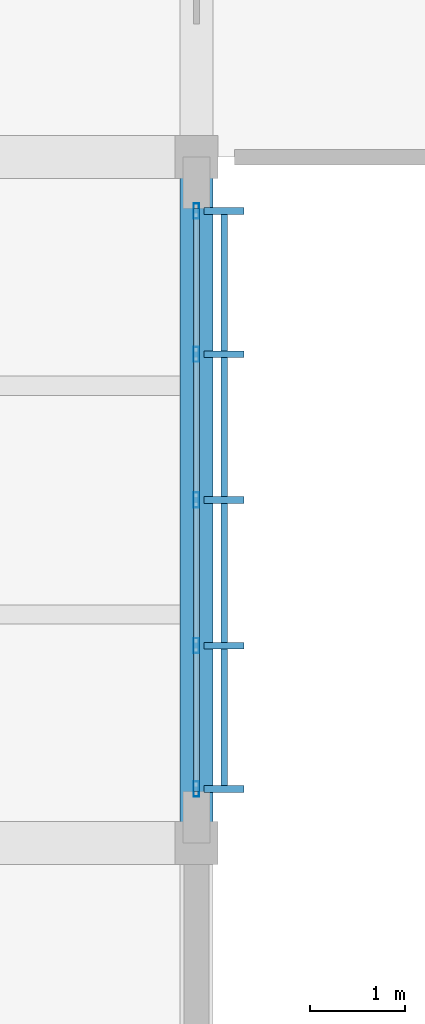
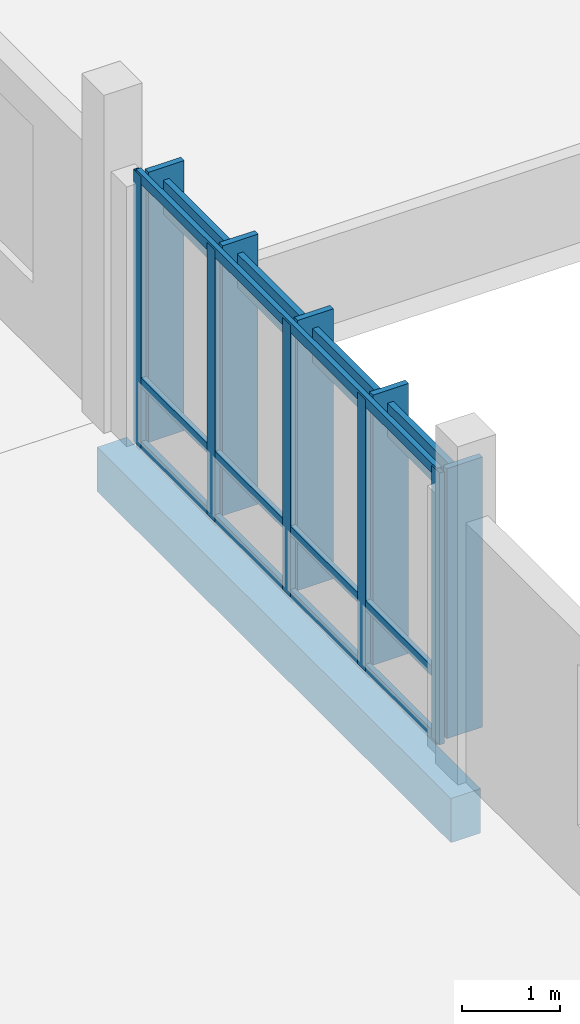
# One storey, part 74 of 182: 14 members, 1 beam, 1 element without a shape of its own.
"""IFC4 building model written with IfcOpenShell, lengths in metres."""

from ifc_helpers import new_model, si_unit, direction, frame, origin, origin_2d, place, context, subcontext, project, spatial, rectangle, hollow_rectangle, extrude, material, material_profile, profile_set, type_object, element, aggregate, save


model = new_model("IFC4")

# Units and contexts
model_context = context("Model", 3, precision=1e-05, world=origin(), true_north=direction((0.0, 1.0)))
body_context = subcontext(model_context, "Body", "Model", "MODEL_VIEW")
ifc_project = project(units=[si_unit("LENGTHUNIT", "METRE"), si_unit("AREAUNIT", "SQUARE_METRE"), si_unit("VOLUMEUNIT", "CUBIC_METRE"), si_unit("PLANEANGLEUNIT", "RADIAN"), si_unit("MASSUNIT", "GRAM", prefix="KILO")], contexts=[model_context])

# Site, building, storey
site_placement = place(None, origin())
site = spatial("IfcSite", under=ifc_project, at=site_placement, CompositionType="ELEMENT")
building_placement = place(site_placement, origin())
building = spatial("IfcBuilding", under=site, at=building_placement, Name="Chiffa Square Polytechnic", CompositionType="ELEMENT")
storey_placement = place(building_placement, frame((0.0, 0.0, 9.60009765625)))
storey = spatial("IfcBuildingStorey", under=building, at=storey_placement, Name="L02", CompositionType="ELEMENT", Elevation=9.60009765625)

# Beam
ifc_material_1 = material(Name="Concrete C35/45", Category="concrete")
ifc_material_profile_1 = material_profile(ifc_material_1, rectangle(XDim=0.35009765625, YDim=0.550048828125, at=origin_2d()), Name="RC 350x550")
ifc_profile_set_1 = profile_set([ifc_material_profile_1], Name="Concrete C35/45")
beam_type = type_object("IfcBeamType", Name="BM-RC-350X550", PredefinedType="BEAM", material=ifc_profile_set_1)
beam_placement = place(storey_placement, frame((32.0, 72.60009765625, -0.59521484375), z_axis=(0.0, 1.0, 0.0), x_axis=(-1.0, 0.0, 0.0)))
element("IfcBeam", 1, at=beam_placement, inside=storey, type_object=beam_type, Name="Primary floor girder BM-V6-L02-Y-0320-0726", PredefinedType="BEAM", context=body_context, shape_type="SweptSolid", body=[
    extrude(rectangle(XDim=0.35009765625, YDim=0.550048828125, at=origin_2d()), origin(), (0.0, 0.0, 1.0), 7.199951171875),
])

# Curtain wall, members
ifc_material_2 = material(Name="Aluminium EN AW-6060 T66 and glulam shading", Category="wood")
curtain_wall_type = type_object("IfcCurtainWallType", Name="CW-VERT-450X440", PredefinedType="USERDEFINED", material=ifc_material_2)
curtain_wall_placement = place(storey_placement, origin())
curtain_wall = element("IfcCurtainWall", 2, at=curtain_wall_placement, inside=storey, type_object=curtain_wall_type, Name="Curtain wall CW-V6-L02-264", ObjectType="CURTAIN WALL", PredefinedType="USERDEFINED")
ifc_material_3 = material(Name="Aluminium EN AW-6060 T66", Category="aluminium")
ifc_material_profile_2 = material_profile(ifc_material_3, hollow_rectangle(XDim=0.06005859375, YDim=0.159912109375, WallThickness=0.00390625, at=origin_2d()), Name="ALU 60x160x4")
ifc_profile_set_2 = profile_set([ifc_material_profile_2], Name="Aluminium EN AW-6060 T66")
member_type_1 = type_object("IfcMemberType", Name="CWM-ALU-65X150", PredefinedType="MULLION", material=ifc_profile_set_2)
member_1_placement = place(storey_placement, frame((32.0, 73.1650390625, 0.0), z_axis=(0.0, 0.0, 1.0), x_axis=(1.0, 0.0, 0.0)))
member_1 = element("IfcMember", 3, at=member_1_placement, type_object=member_type_1, Name="Curtain wall mullion CW-V6-L02-264-M00", PredefinedType="MULLION", context=body_context, shape_type="SweptSolid", body=[
    extrude(hollow_rectangle(XDim=0.06005859375, YDim=0.159912109375, WallThickness=0.00390625, at=origin_2d()), origin(), (0.0, 0.0, 1.0), 3.375),
])
member_2_placement = place(storey_placement, frame((32.0, 74.669921875, 0.0), z_axis=(0.0, 0.0, 1.0), x_axis=(1.0, 0.0, 0.0)))
member_2 = element("IfcMember", 4, at=member_2_placement, type_object=member_type_1, Name="Curtain wall mullion CW-V6-L02-264-M01", PredefinedType="MULLION", context=body_context, shape_type="SweptSolid", body=[
    extrude(hollow_rectangle(XDim=0.06005859375, YDim=0.159912109375, WallThickness=0.00390625, at=origin_2d()), origin(), (0.0, 0.0, 1.0), 3.375),
])
member_3_placement = place(storey_placement, frame((32.0, 76.199951171875, 0.0), z_axis=(0.0, 0.0, 1.0), x_axis=(1.0, 0.0, 0.0)))
member_3 = element("IfcMember", 5, at=member_3_placement, type_object=member_type_1, Name="Curtain wall mullion CW-V6-L02-264-M02", PredefinedType="MULLION", context=body_context, shape_type="SweptSolid", body=[
    extrude(hollow_rectangle(XDim=0.06005859375, YDim=0.159912109375, WallThickness=0.00390625, at=origin_2d()), origin(), (0.0, 0.0, 1.0), 3.375),
])
member_4_placement = place(storey_placement, frame((32.0, 77.72998046875, 0.0), z_axis=(0.0, 0.0, 1.0), x_axis=(1.0, 0.0, 0.0)))
member_4 = element("IfcMember", 6, at=member_4_placement, type_object=member_type_1, Name="Curtain wall mullion CW-V6-L02-264-M03", PredefinedType="MULLION", context=body_context, shape_type="SweptSolid", body=[
    extrude(hollow_rectangle(XDim=0.06005859375, YDim=0.159912109375, WallThickness=0.00390625, at=origin_2d()), origin(), (0.0, 0.0, 1.0), 3.375),
])
member_5_placement = place(storey_placement, frame((32.0, 79.235107421875, 0.0), z_axis=(0.0, 0.0, 1.0), x_axis=(1.0, 0.0, 0.0)))
member_5 = element("IfcMember", 7, at=member_5_placement, type_object=member_type_1, Name="Curtain wall mullion CW-V6-L02-264-M04", PredefinedType="MULLION", context=body_context, shape_type="SweptSolid", body=[
    extrude(hollow_rectangle(XDim=0.06005859375, YDim=0.159912109375, WallThickness=0.00390625, at=origin_2d()), origin(), (0.0, 0.0, 1.0), 3.375),
])
ifc_material_4 = material(Name="Glulam GL28h", Category="wood")
ifc_material_profile_3 = material_profile(ifc_material_4, rectangle(XDim=0.070068359375, YDim=0.419921875, at=origin_2d()), Name="GL28h 70x420")
ifc_profile_set_3 = profile_set([ifc_material_profile_3], Name="Glulam GL28h")
member_type_2 = type_object("IfcMemberType", Name="CWM-GL-70X420", PredefinedType="MULLION", material=ifc_profile_set_3)
member_6_placement = place(storey_placement, frame((32.2919921875, 73.1650390625, 0.010009765625), z_axis=(0.0, 0.0, 1.0), x_axis=(0.0, 1.0, 0.0)))
member_6 = element("IfcMember", 8, at=member_6_placement, type_object=member_type_2, Name="Exterior glulam solar fin CW-V6-L02-264-FN00", PredefinedType="MULLION", context=body_context, shape_type="SweptSolid", body=[
    extrude(rectangle(XDim=0.070068359375, YDim=0.419921875, at=origin_2d()), origin(), (0.0, 0.0, 1.0), 3.35498046875),
])
member_7_placement = place(storey_placement, frame((32.2919921875, 74.669921875, 0.010009765625), z_axis=(0.0, 0.0, 1.0), x_axis=(0.0, 1.0, 0.0)))
member_7 = element("IfcMember", 9, at=member_7_placement, type_object=member_type_2, Name="Exterior glulam solar fin CW-V6-L02-264-FN01", PredefinedType="MULLION", context=body_context, shape_type="SweptSolid", body=[
    extrude(rectangle(XDim=0.070068359375, YDim=0.419921875, at=origin_2d()), origin(), (0.0, 0.0, 1.0), 3.35498046875),
])
member_8_placement = place(storey_placement, frame((32.2919921875, 76.199951171875, 0.010009765625), z_axis=(0.0, 0.0, 1.0), x_axis=(0.0, 1.0, 0.0)))
member_8 = element("IfcMember", 10, at=member_8_placement, type_object=member_type_2, Name="Exterior glulam solar fin CW-V6-L02-264-FN02", PredefinedType="MULLION", context=body_context, shape_type="SweptSolid", body=[
    extrude(rectangle(XDim=0.070068359375, YDim=0.419921875, at=origin_2d()), origin(), (0.0, 0.0, 1.0), 3.35498046875),
])
member_9_placement = place(storey_placement, frame((32.2919921875, 77.72998046875, 0.010009765625), z_axis=(0.0, 0.0, 1.0), x_axis=(0.0, 1.0, 0.0)))
member_9 = element("IfcMember", 11, at=member_9_placement, type_object=member_type_2, Name="Exterior glulam solar fin CW-V6-L02-264-FN03", PredefinedType="MULLION", context=body_context, shape_type="SweptSolid", body=[
    extrude(rectangle(XDim=0.070068359375, YDim=0.419921875, at=origin_2d()), origin(), (0.0, 0.0, 1.0), 3.35498046875),
])
member_10_placement = place(storey_placement, frame((32.2919921875, 79.235107421875, 0.010009765625), z_axis=(0.0, 0.0, 1.0), x_axis=(0.0, 1.0, 0.0)))
member_10 = element("IfcMember", 12, at=member_10_placement, type_object=member_type_2, Name="Exterior glulam solar fin CW-V6-L02-264-FN04", PredefinedType="MULLION", context=body_context, shape_type="SweptSolid", body=[
    extrude(rectangle(XDim=0.070068359375, YDim=0.419921875, at=origin_2d()), origin(), (0.0, 0.0, 1.0), 3.35498046875),
])
ifc_material_profile_4 = material_profile(ifc_material_3, hollow_rectangle(XDim=0.06005859375, YDim=0.1201171875, WallThickness=0.00390625, at=origin_2d()), Name="ALU 60x120x4")
ifc_profile_set_4 = profile_set([ifc_material_profile_4], Name="Aluminium EN AW-6060 T66")
member_type_3 = type_object("IfcMemberType", Name="CWT-ALU-65X120", PredefinedType="USERDEFINED", material=ifc_profile_set_4)
member_11_placement = place(storey_placement, frame((32.0, 73.137939453125, 0.02978515625), z_axis=(0.0, 1.0, 0.0), x_axis=(-1.0, 0.0, 0.0)))
member_11 = element("IfcMember", 13, at=member_11_placement, type_object=member_type_3, Name="Curtain wall transom CW-V6-L02-264-T01", ObjectType="TRANSOM", PredefinedType="USERDEFINED", context=body_context, shape_type="SweptSolid", body=[
    extrude(hollow_rectangle(XDim=0.06005859375, YDim=0.1201171875, WallThickness=0.00390625, at=origin_2d()), origin(), (0.0, 0.0, 1.0), 6.1240234375),
])
member_12_placement = place(storey_placement, frame((32.0, 73.137939453125, 0.81982421875), z_axis=(0.0, 1.0, 0.0), x_axis=(-1.0, 0.0, 0.0)))
member_12 = element("IfcMember", 14, at=member_12_placement, type_object=member_type_3, Name="Curtain wall transom CW-V6-L02-264-T02", ObjectType="TRANSOM", PredefinedType="USERDEFINED", context=body_context, shape_type="SweptSolid", body=[
    extrude(hollow_rectangle(XDim=0.06005859375, YDim=0.1201171875, WallThickness=0.00390625, at=origin_2d()), origin(), (0.0, 0.0, 1.0), 6.1240234375),
])
member_13_placement = place(storey_placement, frame((32.0, 73.137939453125, 3.344970703125), z_axis=(0.0, 1.0, 0.0), x_axis=(-1.0, 0.0, 0.0)))
member_13 = element("IfcMember", 15, at=member_13_placement, type_object=member_type_3, Name="Curtain wall transom CW-V6-L02-264-T03", ObjectType="TRANSOM", PredefinedType="USERDEFINED", context=body_context, shape_type="SweptSolid", body=[
    extrude(hollow_rectangle(XDim=0.06005859375, YDim=0.1201171875, WallThickness=0.00390625, at=origin_2d()), origin(), (0.0, 0.0, 1.0), 6.1240234375),
])
ifc_material_profile_5 = material_profile(ifc_material_4, rectangle(XDim=0.070068359375, YDim=0.419921875, at=origin_2d()), Name="GL28h 70x420")
ifc_profile_set_5 = profile_set([ifc_material_profile_5], Name="Glulam GL28h")
member_type_4 = type_object("IfcMemberType", Name="CWT-GL-70X420", PredefinedType="USERDEFINED", material=ifc_profile_set_5)
member_14_placement = place(storey_placement, frame((32.2919921875, 73.1650390625, 2.994873046875), z_axis=(0.0, 1.0, 0.0), x_axis=(-1.0, 0.0, 0.0)))
member_14 = element("IfcMember", 16, at=member_14_placement, type_object=member_type_4, Name="Exterior glulam brise-soleil CW-V6-L02-264-BS01", ObjectType="TRANSOM", PredefinedType="USERDEFINED", context=body_context, shape_type="SweptSolid", body=[
    extrude(rectangle(XDim=0.070068359375, YDim=0.419921875, at=origin_2d()), origin(), (0.0, 0.0, 1.0), 6.070068359375),
])
aggregate(curtain_wall, [member_1, member_6, member_2, member_7, member_3, member_8, member_4, member_9, member_5, member_10, member_11, member_12, member_13, member_14])

save(model, "model.ifc")
